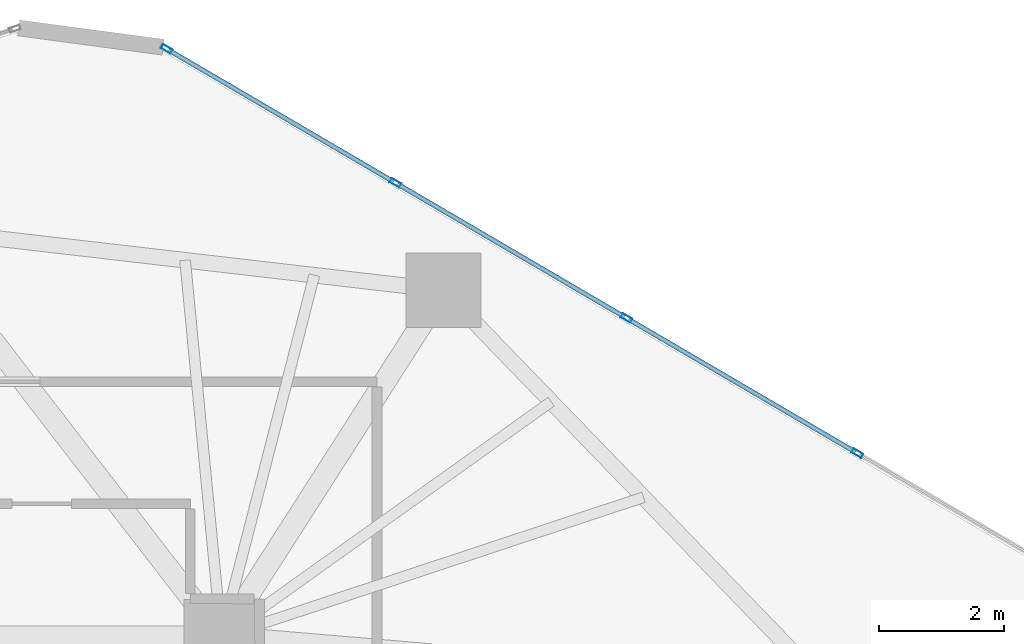
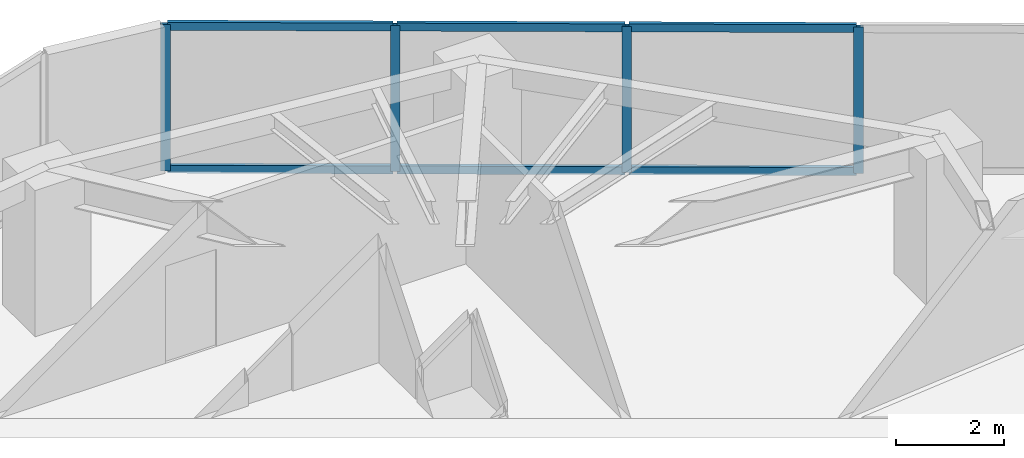
# One storey, part 14 of 21: 10 members, 1 element without a shape of its own.
"""IFC4 building model written with IfcOpenShell, lengths in metres."""

from ifc_helpers import new_model, si_unit, direction, frame, origin, origin_2d, place, context, subcontext, project, spatial, hollow_rectangle, extrude, source, transform, mapped, material, layer, layer_set, material_profile, profile_set, type_object, type_shapes, element, aggregate, save


model = new_model("IFC4")

# Units and contexts
model_context = context("Model", 3, precision=1e-05, world=origin(), true_north=direction((0.0, 1.0)))
body_context = subcontext(model_context, "Body", "Model", "MODEL_VIEW")
ifc_project = project(units=[si_unit("LENGTHUNIT", "METRE"), si_unit("AREAUNIT", "SQUARE_METRE"), si_unit("VOLUMEUNIT", "CUBIC_METRE"), si_unit("PLANEANGLEUNIT", "RADIAN"), si_unit("MASSUNIT", "GRAM", prefix="KILO")], contexts=[model_context])

# Site, building, storey
site_placement = place(None, origin())
site = spatial("IfcSite", under=ifc_project, at=site_placement, CompositionType="ELEMENT")
building_placement = place(site_placement, origin())
building = spatial("IfcBuilding", under=site, at=building_placement, Name="Talar Marvaseh", CompositionType="ELEMENT")
storey_placement = place(building_placement, frame((0.0, 0.0, 143.39990234375)))
storey = spatial("IfcBuildingStorey", under=building, at=storey_placement, Name="L37", CompositionType="ELEMENT", Elevation=143.39990234375)

# Curtain wall, members
ifc_material = material(Name="Architectural Aluminium", Category="aluminium")
ifc_layer = layer(ifc_material, 0.199951171875)
ifc_layer_set = layer_set([ifc_layer], Name="Architectural Aluminium")
curtain_wall_type = type_object("IfcCurtainWallType", Name="Unitised Acoustic Library Curtain Wall Z2", PredefinedType="NOTDEFINED", material=ifc_layer_set)
curtain_wall_placement = place(storey_placement, origin())
curtain_wall = element("IfcCurtainWall", 1, at=curtain_wall_placement, inside=storey, type_object=curtain_wall_type, Name="L37 Unitised Acoustic Library Curtain Wall Z2", PredefinedType="NOTDEFINED")
ifc_material_profile_1 = material_profile(ifc_material, hollow_rectangle(XDim=0.074951171875, YDim=0.179931640625, WallThickness=0.0048828125, at=origin_2d()), Name="RHS180x75x5")
ifc_profile_set_1 = profile_set([ifc_material_profile_1], Name="Architectural Aluminium")
member_type_1 = type_object("IfcMemberType", Name="Unitised Curtain Wall Standard Mullion RHS180x75x5", PredefinedType="MULLION", material=ifc_profile_set_1)
shared_shape_1 = source(origin(), body_context, "Body", "SweptSolid", [
    extrude(hollow_rectangle(XDim=0.074951171875, YDim=0.179931640625, WallThickness=0.0048828125, at=origin_2d()), origin(), (0.0, 0.0, 1.0), 3.31005859375),
])
type_shapes(member_type_1, [shared_shape_1])
member_1_placement = place(storey_placement, frame((32.419677734375, 46.346435546875, 0.0), z_axis=(0.0, 0.0, 1.0), x_axis=(0.505222312647, 0.862989232148, 0.0)))
member_1 = element("IfcMember", 2, at=member_1_placement, type_object=member_type_1, Name="CW-Z2 mullion 1", PredefinedType="MULLION", context=body_context, shape_type="MappedRepresentation", body=[
    mapped(shared_shape_1, transform((0.0, 0.0, 0.0), x_axis=(1.0, 0.0, 0.0), y_axis=(0.0, 1.0, 0.0), z_axis=(0.0, 0.0, 1.0), scale=1.0)),
])
member_2_placement = place(storey_placement, frame((36.09619140625, 44.19384765625, 0.0), z_axis=(0.0, 0.0, 1.0), x_axis=(0.505222312647, 0.862989232148, 0.0)))
member_2 = element("IfcMember", 3, at=member_2_placement, type_object=member_type_1, Name="CW-Z2 mullion 2", PredefinedType="MULLION", context=body_context, shape_type="MappedRepresentation", body=[
    mapped(shared_shape_1, transform((0.0, 0.0, 0.0), x_axis=(1.0, 0.0, 0.0), y_axis=(0.0, 1.0, 0.0), z_axis=(0.0, 0.0, 1.0), scale=1.0)),
])
member_3_placement = place(storey_placement, frame((39.805419921875, 42.0224609375, 0.0), z_axis=(0.0, 0.0, 1.0), x_axis=(0.505222312647, 0.862989232148, 0.0)))
member_3 = element("IfcMember", 4, at=member_3_placement, type_object=member_type_1, Name="CW-Z2 mullion 3", PredefinedType="MULLION", context=body_context, shape_type="MappedRepresentation", body=[
    mapped(shared_shape_1, transform((0.0, 0.0, 0.0), x_axis=(1.0, 0.0, 0.0), y_axis=(0.0, 1.0, 0.0), z_axis=(0.0, 0.0, 1.0), scale=1.0)),
])
member_4_placement = place(storey_placement, frame((43.514404296875, 39.85107421875, 0.0), z_axis=(0.0, 0.0, 1.0), x_axis=(0.505222312647, 0.862989232148, 0.0)))
member_4 = element("IfcMember", 5, at=member_4_placement, type_object=member_type_1, Name="CW-Z2 mullion 4", PredefinedType="MULLION", context=body_context, shape_type="MappedRepresentation", body=[
    mapped(shared_shape_1, transform((0.0, 0.0, 0.0), x_axis=(1.0, 0.0, 0.0), y_axis=(0.0, 1.0, 0.0), z_axis=(0.0, 0.0, 1.0), scale=1.0)),
])
ifc_material_profile_2 = material_profile(ifc_material, hollow_rectangle(XDim=0.074951171875, YDim=0.179931640625, WallThickness=0.0048828125, at=origin_2d()), Name="RHS180x75x5")
ifc_profile_set_2 = profile_set([ifc_material_profile_2], Name="Architectural Aluminium")
member_type_2 = type_object("IfcMemberType", Name="Unitised Curtain Wall Transom RHS180x75x5", PredefinedType="USERDEFINED", material=ifc_profile_set_2)
shared_shape_2 = source(origin(), body_context, "Body", "SweptSolid", [
    extrude(hollow_rectangle(XDim=0.074951171875, YDim=0.179931640625, WallThickness=0.0048828125, at=origin_2d()), origin(), (0.0, 0.0, 1.0), 4.222900390625),
])
member_5_placement = place(storey_placement, frame((36.128662109375, 44.175048828125, 0.03759765625), z_axis=(0.862983114647, -0.505232762035, 0.0), x_axis=(0.505232762035, 0.862983114647, 0.0)))
member_5 = element("IfcMember", 6, at=member_5_placement, type_object=member_type_2, Name="CW-Z2 transom 2.1", ObjectType="TRANSOM", PredefinedType="USERDEFINED", context=body_context, shape_type="MappedRepresentation", body=[
    mapped(shared_shape_2, transform((0.0, 0.0, 0.0), x_axis=(1.0, 0.0, 0.0), y_axis=(0.0, 1.0, 0.0), z_axis=(0.0, 0.0, 1.0), scale=1.0)),
])
member_6_placement = place(storey_placement, frame((36.128662109375, 44.175048828125, 3.272705078125), z_axis=(0.862983114647, -0.505232762035, 0.0), x_axis=(0.505232762035, 0.862983114647, 0.0)))
member_6 = element("IfcMember", 7, at=member_6_placement, type_object=member_type_2, Name="CW-Z2 transom 2.2", ObjectType="TRANSOM", PredefinedType="USERDEFINED", context=body_context, shape_type="MappedRepresentation", body=[
    mapped(shared_shape_2, transform((0.0, 0.0, 0.0), x_axis=(1.0, 0.0, 0.0), y_axis=(0.0, 1.0, 0.0), z_axis=(0.0, 0.0, 1.0), scale=1.0)),
])
member_7_placement = place(storey_placement, frame((39.837646484375, 42.003662109375, 0.03759765625), z_axis=(0.862983114647, -0.505232762035, 0.0), x_axis=(0.505232762035, 0.862983114647, 0.0)))
member_7 = element("IfcMember", 8, at=member_7_placement, type_object=member_type_2, Name="CW-Z2 transom 3.1", ObjectType="TRANSOM", PredefinedType="USERDEFINED", context=body_context, shape_type="MappedRepresentation", body=[
    mapped(shared_shape_2, transform((0.0, 0.0, 0.0), x_axis=(1.0, 0.0, 0.0), y_axis=(0.0, 1.0, 0.0), z_axis=(0.0, 0.0, 1.0), scale=1.0)),
])
member_8_placement = place(storey_placement, frame((39.837646484375, 42.003662109375, 3.272705078125), z_axis=(0.862983114647, -0.505232762035, 0.0), x_axis=(0.505232762035, 0.862983114647, 0.0)))
member_8 = element("IfcMember", 9, at=member_8_placement, type_object=member_type_2, Name="CW-Z2 transom 3.2", ObjectType="TRANSOM", PredefinedType="USERDEFINED", context=body_context, shape_type="MappedRepresentation", body=[
    mapped(shared_shape_2, transform((0.0, 0.0, 0.0), x_axis=(1.0, 0.0, 0.0), y_axis=(0.0, 1.0, 0.0), z_axis=(0.0, 0.0, 1.0), scale=1.0)),
])
shared_shape_3 = source(origin(), body_context, "Body", "SweptSolid", [
    extrude(hollow_rectangle(XDim=0.074951171875, YDim=0.179931640625, WallThickness=0.0048828125, at=origin_2d()), origin(), (0.0, 0.0, 1.0), 4.185546875),
])
type_shapes(member_type_2, [shared_shape_2, shared_shape_3])
member_9_placement = place(storey_placement, frame((32.451904296875, 46.327392578125, 0.03759765625), z_axis=(0.863001443526, -0.505201453355, 0.0), x_axis=(0.505201453355, 0.863001443526, 0.0)))
member_9 = element("IfcMember", 10, at=member_9_placement, type_object=member_type_2, Name="CW-Z2 transom 1.1", ObjectType="TRANSOM", PredefinedType="USERDEFINED", context=body_context, shape_type="MappedRepresentation", body=[
    mapped(shared_shape_3, transform((0.0, 0.0, 0.0), x_axis=(1.0, 0.0, 0.0), y_axis=(0.0, 1.0, 0.0), z_axis=(0.0, 0.0, 1.0), scale=1.0)),
])
member_10_placement = place(storey_placement, frame((32.451904296875, 46.327392578125, 3.272705078125), z_axis=(0.863001443526, -0.505201453355, 0.0), x_axis=(0.505201453355, 0.863001443526, 0.0)))
member_10 = element("IfcMember", 11, at=member_10_placement, type_object=member_type_2, Name="CW-Z2 transom 1.2", ObjectType="TRANSOM", PredefinedType="USERDEFINED", context=body_context, shape_type="MappedRepresentation", body=[
    mapped(shared_shape_3, transform((0.0, 0.0, 0.0), x_axis=(1.0, 0.0, 0.0), y_axis=(0.0, 1.0, 0.0), z_axis=(0.0, 0.0, 1.0), scale=1.0)),
])
aggregate(curtain_wall, [member_1, member_2, member_3, member_4, member_9, member_10, member_5, member_6, member_7, member_8])

save(model, "model.ifc")
